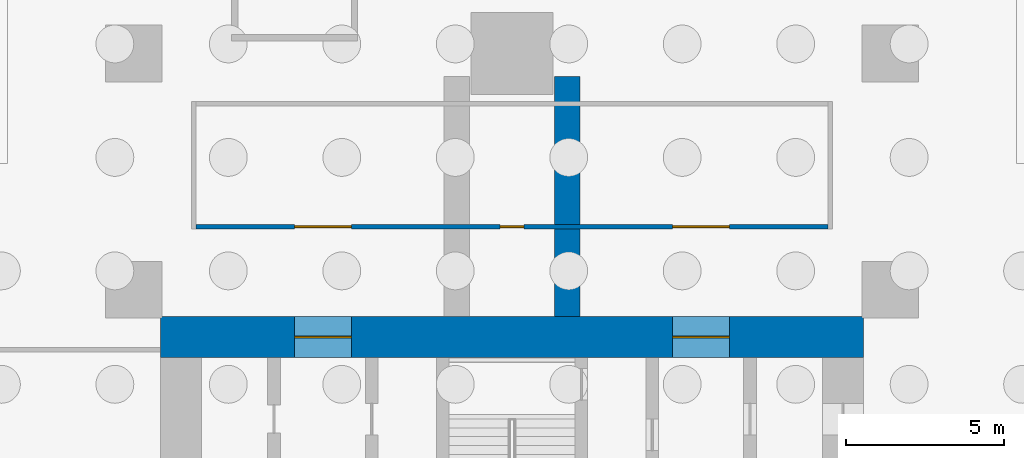
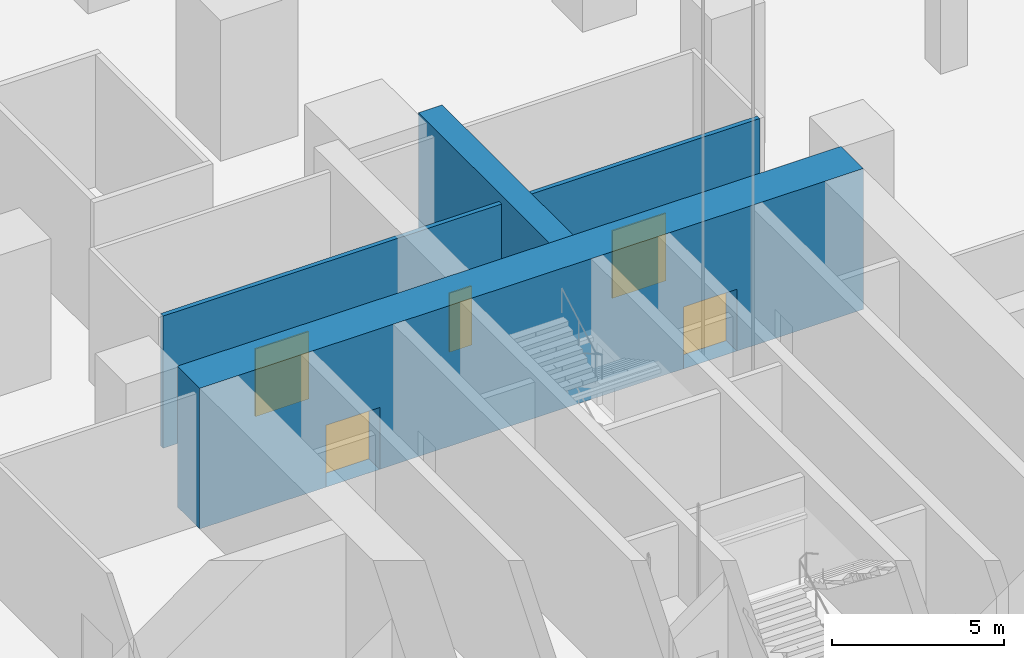
# One storey, part 10 of 31: 5 doors, 3 walls, 5 openings.
"""IFC4 building model written with IfcOpenShell, lengths in metres."""

from ifc_helpers import new_model, si_unit, direction, frame, frame_2d, origin, place, context, subcontext, project, spatial, rectangle, extrude, material, layer, layer_set, type_object, element, fill, save


model = new_model("IFC4")

# Units and contexts
model_context = context("Model", 3, precision=1e-05, world=origin(), true_north=direction((0.0, 1.0)))
body_context = subcontext(model_context, "Body", "Model", "MODEL_VIEW")
ifc_project = project(units=[si_unit("LENGTHUNIT", "METRE"), si_unit("AREAUNIT", "SQUARE_METRE"), si_unit("VOLUMEUNIT", "CUBIC_METRE"), si_unit("PLANEANGLEUNIT", "RADIAN"), si_unit("MASSUNIT", "GRAM", prefix="KILO")], contexts=[model_context])

# Site, building, storey
site_placement = place(None, origin())
site = spatial("IfcSite", under=ifc_project, at=site_placement, CompositionType="ELEMENT")
building_placement = place(site_placement, origin())
building = spatial("IfcBuilding", under=site, at=building_placement, Name="Mizan Broadcast Tower", CompositionType="ELEMENT")
storey_placement = place(building_placement, frame((0.0, 0.0, -10.0)))
storey = spatial("IfcBuildingStorey", under=building, at=storey_placement, Name="B2", CompositionType="ELEMENT", Elevation=-10.0)

# Wall, openings, doors
ifc_material_1 = material(Name="Concrete C70/85", Category="concrete")
ifc_layer_1 = layer(ifc_material_1, 1.300048828125)
ifc_layer_set_1 = layer_set([ifc_layer_1], Name="Concrete C70/85")
wall_type_1 = type_object("IfcWallType", Name="CORE WALL 1300", PredefinedType="SHEAR", material=ifc_layer_set_1)
wall_1_placement = place(storey_placement, frame((-11.14990234375, 10.5, 0.0), z_axis=(0.0, 0.0, 1.0), x_axis=(1.0, 0.0, 0.0)))
wall_1 = element("IfcWall", 1, at=wall_1_placement, inside=storey, type_object=wall_type_1, Name="Core wall N B2", PredefinedType="SHEAR", context=body_context, shape_type="SweptSolid", body=[
    extrude(rectangle(XDim=22.2998046875, YDim=1.300048828125, at=frame_2d((11.14990234375, 0.0))), origin(), (0.0, 0.0, 1.0), 5.0),
])
opening_1_placement = place(wall_1_placement, frame((4.25, 0.0, 0.0)))
opening_1 = element("IfcOpeningElement", 2, at=opening_1_placement, cuts=wall_1, Name="Opening D18F", PredefinedType="OPENING", context=body_context, shape_type="SweptSolid", body=[
    extrude(rectangle(XDim=1.800048828125, YDim=2.199951171875, at=frame_2d((0.89990234375, 1.10009765625))), frame((0.0, 0.659912109375, 0.0), z_axis=(0.0, -1.0, 0.0), x_axis=(1.0, 0.0, 0.0)), (0.0, 0.0, 1.0), 1.320068359375),
])
opening_2_placement = place(wall_1_placement, frame((16.25, 0.0, 0.0)))
opening_2 = element("IfcOpeningElement", 3, at=opening_2_placement, cuts=wall_1, Name="Opening D18F", PredefinedType="OPENING", context=body_context, shape_type="SweptSolid", body=[
    extrude(rectangle(XDim=1.800048828125, YDim=2.199951171875, at=frame_2d((0.89990234375, 1.10009765625))), frame((0.0, 0.659912109375, 0.0), z_axis=(0.0, -1.0, 0.0), x_axis=(1.0, 0.0, 0.0)), (0.0, 0.0, 1.0), 1.320068359375),
])
ifc_material_2 = material(Name="Steel door leaf in steel frame", Category="steel")
door_type_1 = type_object("IfcDoorType", Name="LOBBY DOUBLE DOOR 1800 FD90", OperationType="DOUBLE_DOOR_DOUBLE_SWING", PredefinedType="DOOR", material=ifc_material_2)
door_1_placement = place(opening_1_placement, origin())
door_1 = element("IfcDoor", 4, at=door_1_placement, inside=storey, type_object=door_type_1, Name="West lift lobby north door", OperationType="DOUBLE_DOOR_DOUBLE_SWING", OverallHeight=2.199951171875, OverallWidth=1.800048828125, PredefinedType="DOOR", context=body_context, shape_type="SweptSolid", body=[
    extrude(rectangle(XDim=1.800048828125, YDim=2.199951171875, at=frame_2d((0.89990234375, 1.10009765625))), frame((0.0, 0.02490234375, 0.0), z_axis=(0.0, -1.0, 0.0), x_axis=(1.0, 0.0, 0.0)), (0.0, 0.0, 1.0), 0.050048828125),
])
fill(opening_1, door_1)
door_2_placement = place(opening_2_placement, origin())
door_2 = element("IfcDoor", 5, at=door_2_placement, inside=storey, type_object=door_type_1, Name="East lift lobby north door", OperationType="DOUBLE_DOOR_DOUBLE_SWING", OverallHeight=2.199951171875, OverallWidth=1.800048828125, PredefinedType="DOOR", context=body_context, shape_type="SweptSolid", body=[
    extrude(rectangle(XDim=1.800048828125, YDim=2.199951171875, at=frame_2d((0.89990234375, 1.10009765625))), frame((0.0, 0.02490234375, 0.0), z_axis=(0.0, -1.0, 0.0), x_axis=(1.0, 0.0, 0.0)), (0.0, 0.0, 1.0), 0.050048828125),
])
fill(opening_2, door_2)

ifc_material_3 = material(Name="Concrete blockwork", Category="masonry")
ifc_layer_2 = layer(ifc_material_3, 0.14990234375)
ifc_layer_set_2 = layer_set([ifc_layer_2], Name="Concrete blockwork")
wall_type_2 = type_object("IfcWallType", Name="PLANT ROOM ENCLOSURE WALL 150", PredefinedType="SOLIDWALL", material=ifc_layer_set_2)
wall_2_placement = place(storey_placement, frame((10.02490234375, 14.0, 0.0), z_axis=(0.0, 0.0, 1.0), x_axis=(-1.0, 0.0, 0.0)))
wall_2 = element("IfcWall", 6, at=wall_2_placement, inside=storey, type_object=wall_type_2, Name="Plant room wall PT/NY", PredefinedType="SOLIDWALL", context=body_context, shape_type="SweptSolid", body=[
    extrude(rectangle(XDim=20.0498046875, YDim=0.14990234375, at=frame_2d((10.02490234375, 0.0))), origin(), (0.0, 0.0, 1.0), 4.699951171875),
])
opening_3_placement = place(wall_2_placement, frame((9.64990234375, 0.0, 0.0)))
opening_3 = element("IfcOpeningElement", 7, at=opening_3_placement, cuts=wall_2, Name="Opening D07R", PredefinedType="OPENING", context=body_context, shape_type="SweptSolid", body=[
    extrude(rectangle(XDim=0.75, YDim=2.10009765625, at=frame_2d((0.375, 1.050048828125))), frame((0.0, 0.0849609375, 0.0), z_axis=(0.0, -1.0, 0.0), x_axis=(1.0, 0.0, 0.0)), (0.0, 0.0, 1.0), 0.169921875),
])
opening_4_placement = place(wall_2_placement, frame((3.125, 0.0, 0.0)))
opening_4 = element("IfcOpeningElement", 8, at=opening_4_placement, cuts=wall_2, Name="Opening D18P", PredefinedType="OPENING", context=body_context, shape_type="SweptSolid", body=[
    extrude(rectangle(XDim=1.800048828125, YDim=2.39990234375, at=frame_2d((0.89990234375, 1.199951171875))), frame((0.0, 0.0849609375, 0.0), z_axis=(0.0, -1.0, 0.0), x_axis=(1.0, 0.0, 0.0)), (0.0, 0.0, 1.0), 0.169921875),
])
opening_5_placement = place(wall_2_placement, frame((15.125, 0.0, 0.0)))
opening_5 = element("IfcOpeningElement", 9, at=opening_5_placement, cuts=wall_2, Name="Opening D18P", PredefinedType="OPENING", context=body_context, shape_type="SweptSolid", body=[
    extrude(rectangle(XDim=1.800048828125, YDim=2.39990234375, at=frame_2d((0.89990234375, 1.199951171875))), frame((0.0, 0.0849609375, 0.0), z_axis=(0.0, -1.0, 0.0), x_axis=(1.0, 0.0, 0.0)), (0.0, 0.0, 1.0), 0.169921875),
])
ifc_material_4 = material(Name="Steel door leaf in steel frame", Category="steel")
door_type_2 = type_object("IfcDoorType", Name="PLANT ROOM DOUBLE DOOR 1800x2400 FD90", OperationType="DOUBLE_DOOR_DOUBLE_SWING", PredefinedType="DOOR", material=ifc_material_4)
door_3_placement = place(opening_4_placement, origin())
door_3 = element("IfcDoor", 10, at=door_3_placement, inside=storey, type_object=door_type_2, Name="Water tank room door", OperationType="DOUBLE_DOOR_DOUBLE_SWING", OverallHeight=2.39990234375, OverallWidth=1.800048828125, PredefinedType="DOOR", context=body_context, shape_type="SweptSolid", body=[
    extrude(rectangle(XDim=1.800048828125, YDim=2.39990234375, at=frame_2d((0.89990234375, 1.199951171875))), frame((0.0, 0.02490234375, 0.0), z_axis=(0.0, -1.0, 0.0), x_axis=(1.0, 0.0, 0.0)), (0.0, 0.0, 1.0), 0.050048828125),
])
fill(opening_4, door_3)
door_4_placement = place(opening_5_placement, origin())
door_4 = element("IfcDoor", 11, at=door_4_placement, inside=storey, type_object=door_type_2, Name="Water tank room door", OperationType="DOUBLE_DOOR_DOUBLE_SWING", OverallHeight=2.39990234375, OverallWidth=1.800048828125, PredefinedType="DOOR", context=body_context, shape_type="SweptSolid", body=[
    extrude(rectangle(XDim=1.800048828125, YDim=2.39990234375, at=frame_2d((0.89990234375, 1.199951171875))), frame((0.0, 0.02490234375, 0.0), z_axis=(0.0, -1.0, 0.0), x_axis=(1.0, 0.0, 0.0)), (0.0, 0.0, 1.0), 0.050048828125),
])
fill(opening_5, door_4)
ifc_material_5 = material(Name="Steel door leaf in steel frame", Category="steel")
door_type_3 = type_object("IfcDoorType", Name="RISER ACCESS DOOR 750x2100 FD60", OperationType="SINGLE_SWING_LEFT", PredefinedType="DOOR", material=ifc_material_5)
door_5_placement = place(opening_3_placement, origin())
door_5 = element("IfcDoor", 12, at=door_5_placement, inside=storey, type_object=door_type_3, Name="Spine riser door", OperationType="SINGLE_SWING_LEFT", OverallHeight=2.10009765625, OverallWidth=0.75, PredefinedType="DOOR", context=body_context, shape_type="SweptSolid", body=[
    extrude(rectangle(XDim=0.75, YDim=2.10009765625, at=frame_2d((0.375, 1.050048828125))), frame((0.0, 0.02490234375, 0.0), z_axis=(0.0, -1.0, 0.0), x_axis=(1.0, 0.0, 0.0)), (0.0, 0.0, 1.0), 0.050048828125),
])
fill(opening_3, door_5)

# Wall
ifc_material_6 = material(Name="Concrete C70/85", Category="concrete")
ifc_layer_3 = layer(ifc_material_6, 0.800048828125)
ifc_layer_set_3 = layer_set([ifc_layer_3], Name="Concrete C70/85")
wall_type_3 = type_object("IfcWallType", Name="SPINE WALL 800", PredefinedType="SHEAR", material=ifc_layer_set_3)
wall_3_placement = place(storey_placement, frame((1.75, 11.14990234375, 0.0), z_axis=(0.0, 0.0, 1.0), x_axis=(0.0, 1.0, 0.0)))
element("IfcWall", 13, at=wall_3_placement, inside=storey, type_object=wall_type_3, Name="Spine wall NR B2", PredefinedType="SHEAR", context=body_context, shape_type="SweptSolid", body=[
    extrude(rectangle(XDim=7.625, YDim=0.800048828125, at=frame_2d((3.8125, 0.0))), origin(), (0.0, 0.0, 1.0), 5.0),
])

save(model, "model.ifc")
